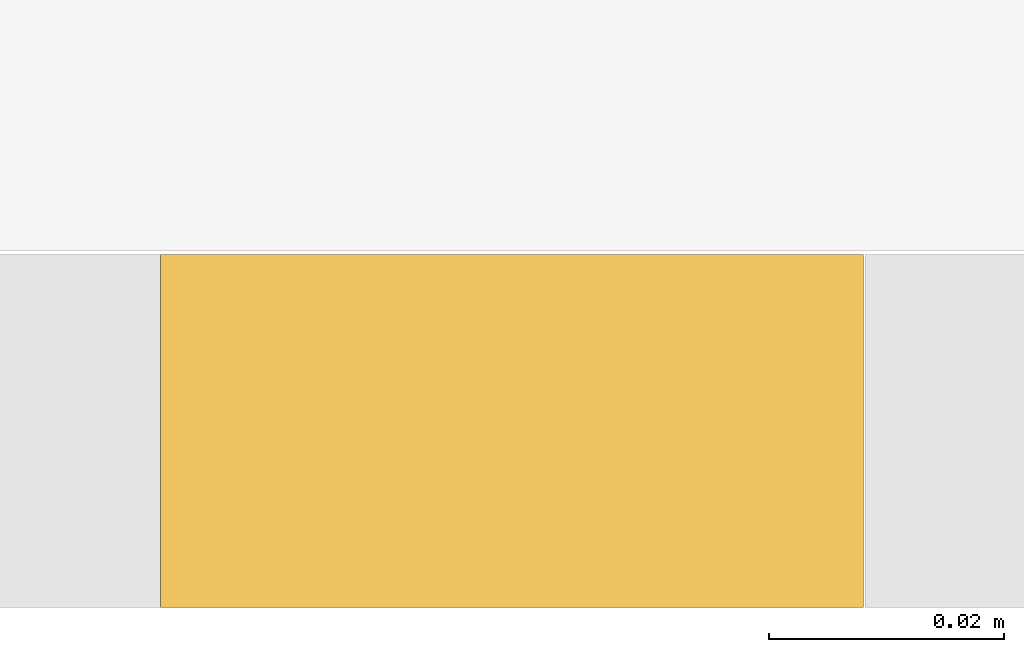
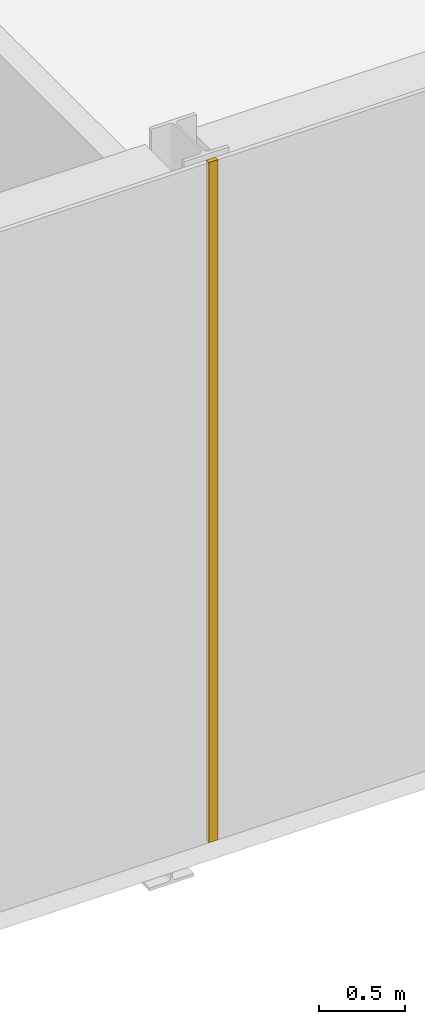
# One storey, part 47 of 57: 1 covering.
"""IFC4 building model written with IfcOpenShell, lengths in metres."""

from ifc_helpers import new_model, si_unit, direction, frame, origin, origin_2d, place, context, subcontext, project, spatial, rectangle, extrude, material, layer, layer_set, type_object, element, save


model = new_model("IFC4")

# Units and contexts
model_context = context("Model", 3, precision=1e-05, world=origin(), true_north=direction((0.0, 1.0)))
body_context = subcontext(model_context, "Body", "Model", "MODEL_VIEW")
ifc_project = project(units=[si_unit("LENGTHUNIT", "METRE"), si_unit("AREAUNIT", "SQUARE_METRE"), si_unit("VOLUMEUNIT", "CUBIC_METRE"), si_unit("PLANEANGLEUNIT", "RADIAN"), si_unit("MASSUNIT", "GRAM", prefix="KILO")], contexts=[model_context])

# Site, building, storey
site_placement = place(None, origin())
site = spatial("IfcSite", under=ifc_project, at=site_placement, CompositionType="ELEMENT")
building_placement = place(site_placement, origin())
building = spatial("IfcBuilding", under=site, at=building_placement, Name="Galleria Vessillo Department Store", CompositionType="ELEMENT")
storey_placement = place(building_placement, frame((0.0, 0.0, 21.0)))
storey = spatial("IfcBuildingStorey", under=building, at=storey_placement, Name="L04", CompositionType="ELEMENT", Elevation=21.0)

# Covering
ifc_material = material(Name="Lime plaster (intonaco) ochre")
ifc_layer = layer(ifc_material, 0.030029296875)
ifc_layer_set = layer_set([ifc_layer], Name="Lime plaster (intonaco) ochre")
covering_type = type_object("IfcCoveringType", Name="Lime plaster render 30 mm", PredefinedType="CLADDING", material=ifc_layer_set)
covering_placement = place(storey_placement, frame((92.39990234375, -0.264892578125, 0.0), z_axis=(0.0, 0.0, 1.0), x_axis=(1.0, 0.0, 0.0)))
element("IfcCovering", 1, at=covering_placement, inside=storey, type_object=covering_type, Name="Joint block Wall cladding S-PS-L04-07", PredefinedType="CLADDING", context=body_context, shape_type="SweptSolid", body=[
    extrude(rectangle(XDim=0.059814453125, YDim=0.030029296875, at=origin_2d()), origin(), (0.0, 0.0, 1.0), 4.800048828125),
])

save(model, "model.ifc")
